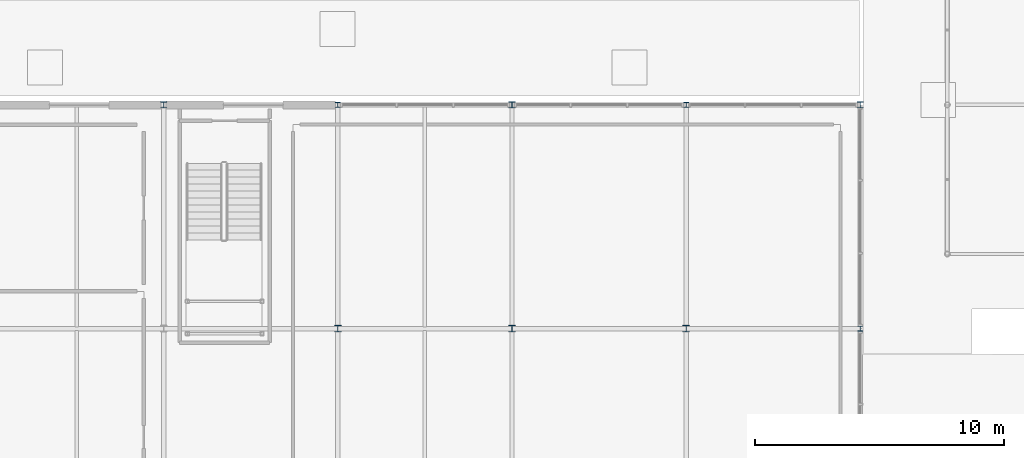
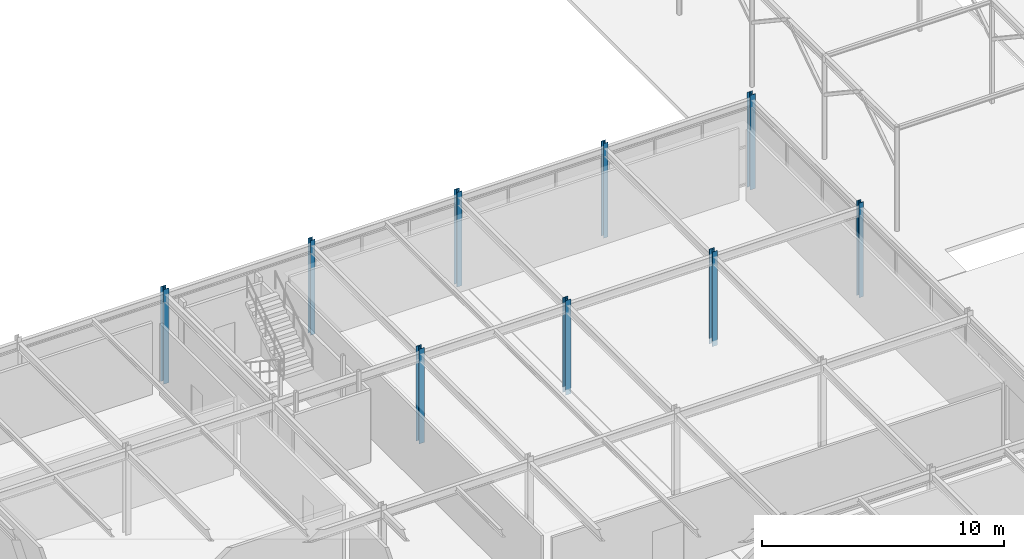
# One storey, part 14 of 119: 9 columns.
"""IFC4 building model written with IfcOpenShell, lengths in metres."""

from ifc_helpers import new_model, si_unit, derived_unit, direction, frame, origin, origin_2d_with_axis, place, context, subcontext, project, spatial, i_section, extrude, material, material_profile, profile_set, type_object, element, save


model = new_model("IFC4")

# Units and contexts
model_context = context("Model", 3, precision=1e-05, world=origin(), true_north=direction((0.0, 1.0)))
body_context = subcontext(model_context, "Body", "Model", "MODEL_VIEW")
ifc_project = project(units=[si_unit("LENGTHUNIT", "METRE"), si_unit("AREAUNIT", "SQUARE_METRE"), si_unit("VOLUMEUNIT", "CUBIC_METRE"), si_unit("PLANEANGLEUNIT", "RADIAN"), si_unit("MASSUNIT", "GRAM", prefix="KILO"), derived_unit("THERMALTRANSMITTANCEUNIT", [(si_unit("POWERUNIT", "WATT"), 1), (si_unit("LENGTHUNIT", "METRE"), -2), (si_unit("THERMODYNAMICTEMPERATUREUNIT", "KELVIN"), -1)])], contexts=[model_context])

# Site, building, storey
site_placement = place(None, origin())
site = spatial("IfcSite", under=ifc_project, at=site_placement, CompositionType="ELEMENT")
building_placement = place(site_placement, origin())
building = spatial("IfcBuilding", under=site, at=building_placement, Name="Cinnabar Yard Market Hall", CompositionType="ELEMENT")
storey_placement = place(building_placement, origin())
storey = spatial("IfcBuildingStorey", under=building, at=storey_placement, Name="L00", CompositionType="ELEMENT", Elevation=0.0)

# Columns
ifc_material = material(Name="Steel Grade 300 (300 MPa)", Category="steel")
ifc_material_profile_1 = material_profile(ifc_material, i_section(OverallWidth=0.256103515625, OverallDepth=0.260009765625, WebThickness=0.010498046875, FlangeThickness=0.017333984375, FilletRadius=0.013916015625, at=origin_2d_with_axis()), Name="250UC89.5")
ifc_profile_set_1 = profile_set([ifc_material_profile_1], Name="Steel Grade 300 (300 MPa)")
column_type_1 = type_object("IfcColumnType", Name="COL-C10", PredefinedType="COLUMN", material=ifc_profile_set_1)
for number, where, z_axis, x_axis, name in (
    (1, (31.0, 75.0, -0.280029296875), (0.0, 0.0, 1.0), (1.0, 0.0, 0.0), "Pavilion Column V2-04-04 L00"),
    (2, (38.0, 75.0, -0.280029296875), (0.0, 0.0, 1.0), (1.0, 0.0, 0.0), "Pavilion Column V2-05-04 L00"),
    (3, (45.0, 75.0, -0.280029296875), (0.0, 0.0, 1.0), (1.0, 0.0, 0.0), "Pavilion Column V2-06-04 L00"),
):
    element("IfcColumn", number, at=place(storey_placement, frame(where, z_axis=z_axis, x_axis=x_axis)), inside=storey, type_object=column_type_1, Name=name, PredefinedType="COLUMN", context=body_context, shape_type="SweptSolid", body=[
        extrude(i_section(OverallWidth=0.256103515625, OverallDepth=0.260009765625, WebThickness=0.010498046875, FlangeThickness=0.017333984375, FilletRadius=0.013916015625, at=origin_2d_with_axis()), origin(), (0.0, 0.0, 1.0), 4.780029296875),
    ])
ifc_material_profile_2 = material_profile(ifc_material, i_section(OverallWidth=0.25390625, OverallDepth=0.25390625, WebThickness=0.008544921875, FlangeThickness=0.01416015625, FilletRadius=0.013916015625, at=origin_2d_with_axis()), Name="250UC72.9")
ifc_profile_set_2 = profile_set([ifc_material_profile_2], Name="Steel Grade 300 (300 MPa)")
column_type_2 = type_object("IfcColumnType", Name="COL-C11E", PredefinedType="COLUMN", material=ifc_profile_set_2)
for number, where, z_axis, x_axis, name in (
    (4, (24.0, 84.0, -0.280029296875), (0.0, 0.0, 1.0), (1.0, 0.0, 0.0), "Pavilion Column V2-03-05 L00"),
    (5, (38.0, 84.0, -0.280029296875), (0.0, 0.0, 1.0), (1.0, 0.0, 0.0), "Pavilion Column V2-05-05 L00"),
    (6, (52.0, 84.0, -0.280029296875), (0.0, 0.0, 1.0), (1.0, 0.0, 0.0), "Pavilion Column V2-07-05 L00"),
):
    element("IfcColumn", number, at=place(storey_placement, frame(where, z_axis=z_axis, x_axis=x_axis)), inside=storey, type_object=column_type_2, Name=name, PredefinedType="COLUMN", context=body_context, shape_type="SweptSolid", body=[
        extrude(i_section(OverallWidth=0.25390625, OverallDepth=0.25390625, WebThickness=0.008544921875, FlangeThickness=0.01416015625, FilletRadius=0.013916015625, at=origin_2d_with_axis()), origin(), (0.0, 0.0, 1.0), 4.780029296875),
    ])
ifc_material_profile_3 = material_profile(ifc_material, i_section(OverallWidth=0.205078125, OverallDepth=0.209716796875, WebThickness=0.00927734375, FlangeThickness=0.01416015625, FilletRadius=0.011474609375, at=origin_2d_with_axis()), Name="200UC59.5")
ifc_profile_set_3 = profile_set([ifc_material_profile_3], Name="Steel Grade 300 (300 MPa)")
column_type_3 = type_object("IfcColumnType", Name="COL-C12E", PredefinedType="COLUMN", material=ifc_profile_set_3)
for number, where, z_axis, x_axis, name in (
    (7, (31.0, 84.0, -0.280029296875), (0.0, 0.0, 1.0), (1.0, 0.0, 0.0), "Pavilion Column V2-04-05 L00"),
    (8, (45.0, 84.0, -0.280029296875), (0.0, 0.0, 1.0), (1.0, 0.0, 0.0), "Pavilion Column V2-06-05 L00"),
    (9, (52.0, 75.0, -0.280029296875), (0.0, 0.0, 1.0), (1.0, 0.0, 0.0), "Pavilion Column V2-07-04 L00"),
):
    element("IfcColumn", number, at=place(storey_placement, frame(where, z_axis=z_axis, x_axis=x_axis)), inside=storey, type_object=column_type_3, Name=name, PredefinedType="COLUMN", context=body_context, shape_type="SweptSolid", body=[
        extrude(i_section(OverallWidth=0.205078125, OverallDepth=0.209716796875, WebThickness=0.00927734375, FlangeThickness=0.01416015625, FilletRadius=0.011474609375, at=origin_2d_with_axis()), origin(), (0.0, 0.0, 1.0), 4.780029296875),
    ])

save(model, "model.ifc")
